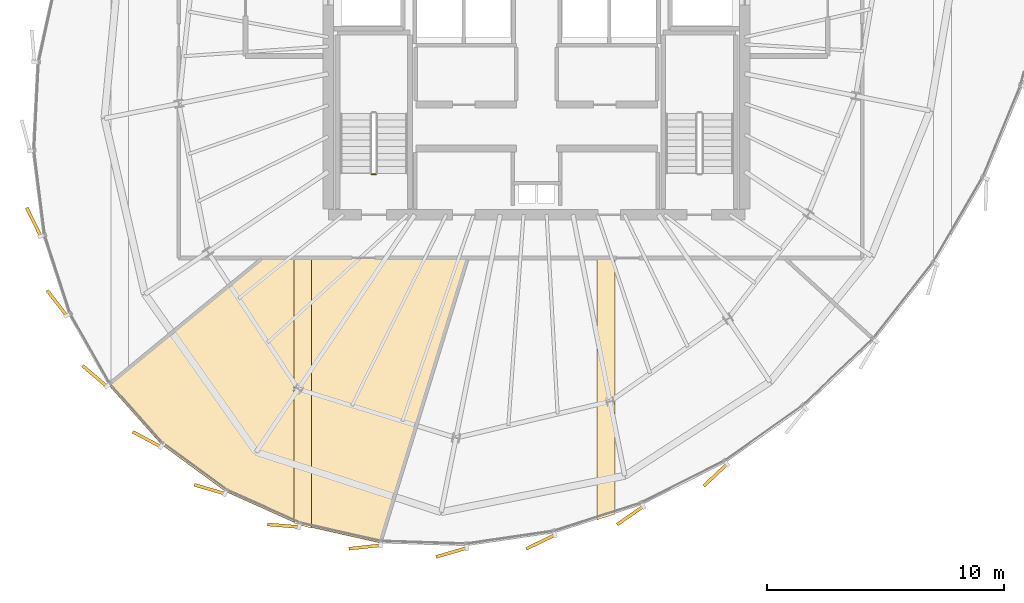
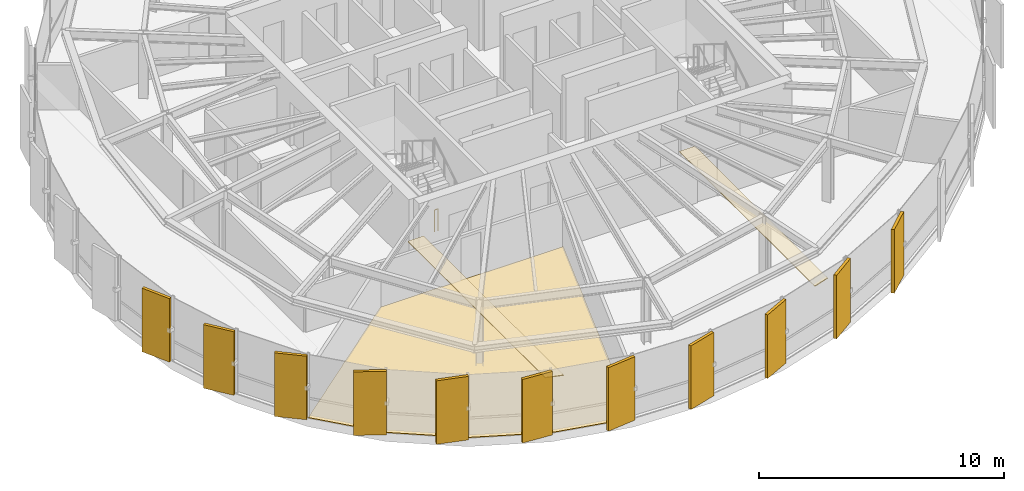
# One storey, part 32 of 36: 14 coverings, 1 railing.
"""IFC4 building model written with IfcOpenShell, lengths in metres."""

import ifcopenshell
import ifcopenshell.guid

model = None  # the IFC model being written
_history = None  # IfcOwnerHistory: only IFC2X3 demands one
_inside = {}  # id of a spatial element -> (the spatial element, [elements in it])
_under = {}  # id of a project, library or spatial element -> (it, [spatial elements below it])
_declared = {}  # id of a project -> (the project, [libraries it declares])
_typed = {}  # id of a type object -> (the type object, [elements of that type])
_made_of = {}  # id of a material, layer set ... -> (it, [elements and type objects made of it])


def new_model(schema):
    """Start an empty IFC model of exactly this schema.

    Asked for "IFC4X3", IfcOpenShell would pick the latest addendum, in which some entities
    have other attributes; the version numbers below select the first issue.
    IFC2X3 requires an IfcOwnerHistory on every rooted entity: one is made here for all.
    """
    global model, _history
    if schema == "IFC4X3":
        model = ifcopenshell.file(schema_version=(4, 3, 0, 0))
    else:
        model = ifcopenshell.file(schema=schema)
    _inside.clear()
    _under.clear()
    _declared.clear()
    _typed.clear()
    _made_of.clear()
    _history = None
    if model.schema == "IFC2X3":
        org = make("IfcOrganization", Name="unknown")
        user = make(
            "IfcPersonAndOrganization",
            ThePerson=make("IfcPerson", FamilyName="unknown"),
            TheOrganization=org,
        )
        app = make(
            "IfcApplication",
            ApplicationDeveloper=org,
            Version="unknown",
            ApplicationFullName="unknown",
            ApplicationIdentifier="unknown",
        )
        _history = make(
            "IfcOwnerHistory",
            OwningUser=user,
            OwningApplication=app,
            ChangeAction="ADDED",
            CreationDate=0,
        )
    return model


def make(cls, **values):
    """One entity of the class cls with the attributes given. An attribute that is None is left unset."""
    return model.create_entity(
        cls, **{name: value for name, value in values.items() if value is not None}
    )


def rooted(cls, **values):
    """An entity with a GlobalId (a new one), such as an element, a storey or a relation."""
    return make(cls, GlobalId=ifcopenshell.guid.new(), OwnerHistory=_history, **values)


def si_unit(unit_type, name, prefix=None):
    """IfcSIUnit, for example si_unit("LENGTHUNIT", "METRE", prefix="MILLI")."""
    return make("IfcSIUnit", UnitType=unit_type, Prefix=prefix, Name=name)


def assignment(units):
    """IfcUnitAssignment: the units of a project."""
    return None if units is None else make("IfcUnitAssignment", Units=units)


def point(xyz):
    """IfcCartesianPoint."""
    return None if xyz is None else make("IfcCartesianPoint", Coordinates=xyz)


def direction(xyz):
    """IfcDirection."""
    return None if xyz is None else make("IfcDirection", DirectionRatios=xyz)


def frame(location, z_axis=None, x_axis=None):
    """IfcAxis2Placement3D, a coordinate frame: its origin and axes. An axis left out is left unset."""
    return make(
        "IfcAxis2Placement3D",
        Location=point(location),
        Axis=direction(z_axis),
        RefDirection=direction(x_axis),
    )


def frame_2d(location, x_axis=None):
    """IfcAxis2Placement2D, a coordinate frame in the plane: its origin and x axis."""
    return make(
        "IfcAxis2Placement2D", Location=point(location), RefDirection=direction(x_axis)
    )


def origin():
    """The frame at (0, 0, 0) with its axes left unset."""
    return frame((0.0, 0.0, 0.0))


def origin_2d():
    """The frame at (0, 0) in the plane with its x axis left unset."""
    return frame_2d((0.0, 0.0))


def place(relative_to, where):
    """IfcLocalPlacement: puts the frame where relative to a parent placement (None: the world)."""
    return make(
        "IfcLocalPlacement", PlacementRelTo=relative_to, RelativePlacement=where
    )


def context(
    kind, dimensions, precision=None, world=None, true_north=None, identifier=None
):
    """IfcGeometricRepresentationContext, for example the 3D "Model" context."""
    return make(
        "IfcGeometricRepresentationContext",
        ContextIdentifier=identifier,
        ContextType=kind,
        CoordinateSpaceDimension=dimensions,
        Precision=precision,
        WorldCoordinateSystem=world,
        TrueNorth=true_north,
    )


def subcontext(parent, identifier, kind, view, scale=None):
    """IfcGeometricRepresentationSubContext, for example "Body" below "Model"."""
    return make(
        "IfcGeometricRepresentationSubContext",
        ContextIdentifier=identifier,
        ContextType=kind,
        ParentContext=parent,
        TargetScale=scale,
        TargetView=view,
    )


def project(units=None, contexts=None):
    """IfcProject with its units and contexts."""
    return rooted(
        "IfcProject",
        Name="project",
        RepresentationContexts=contexts,
        UnitsInContext=assignment(units),
    )


def spatial(cls, under=None, at=None, **own):
    """A site, building, storey or space (cls), placed at a placement, below another one or the project."""
    s = rooted(cls, ObjectPlacement=at, **own)
    if under is not None:
        _under.setdefault(under.id(), (under, []))[1].append(s)
    return s


def polyline(points):
    """IfcPolyline through the points."""
    return make("IfcPolyline", Points=[point(p) for p in points])


def profile(cls, at=None, kind="AREA", **sizes):
    """A parametric profile (cls). Its sizes go by their IFC names, for example OverallWidth=200.0."""
    return make(cls, ProfileType=kind, Position=at, **sizes)


def rectangle(**sizes):
    """IfcRectangleProfileDef."""
    return profile("IfcRectangleProfileDef", **sizes)


def circle(**sizes):
    """IfcCircleProfileDef."""
    return profile("IfcCircleProfileDef", **sizes)


def outline(outer, holes=None, kind="AREA"):
    """IfcArbitraryClosedProfileDef: a profile drawn as a closed curve; with holes, ...WithVoids."""
    if holes is None:
        return make("IfcArbitraryClosedProfileDef", ProfileType=kind, OuterCurve=outer)
    return make(
        "IfcArbitraryProfileDefWithVoids",
        ProfileType=kind,
        OuterCurve=outer,
        InnerCurves=holes,
    )


def extrude(swept, where, along, depth):
    """IfcExtrudedAreaSolid: the profile swept, set in the frame where, extruded along a direction by depth."""
    return make(
        "IfcExtrudedAreaSolid",
        SweptArea=swept,
        Position=where,
        ExtrudedDirection=direction(along),
        Depth=depth,
    )


def shape(context_of_items, identifier, shape_type, items):
    """IfcShapeRepresentation: the items that make up one representation, for example the "Body"."""
    return make(
        "IfcShapeRepresentation",
        ContextOfItems=context_of_items,
        RepresentationIdentifier=identifier,
        RepresentationType=shape_type,
        Items=items,
    )


def source(mapping_origin, context_of_items, identifier, shape_type, items):
    """IfcRepresentationMap: a shape defined once, which mapped items show again and again."""
    return make(
        "IfcRepresentationMap",
        MappingOrigin=mapping_origin,
        MappedRepresentation=shape(context_of_items, identifier, shape_type, items),
    )


def transform(
    local_origin,
    x_axis=None,
    y_axis=None,
    z_axis=None,
    scale=None,
    scale2=None,
    scale3=None,
    uniform=True,
):
    """IfcCartesianTransformationOperator3D, or its non-uniform kind. x_axis, y_axis, z_axis: its Axis1, 2, 3."""
    if uniform:
        return make(
            "IfcCartesianTransformationOperator3D",
            Axis1=direction(x_axis),
            Axis2=direction(y_axis),
            LocalOrigin=point(local_origin),
            Scale=scale,
            Axis3=direction(z_axis),
        )
    return make(
        "IfcCartesianTransformationOperator3DnonUniform",
        Axis1=direction(x_axis),
        Axis2=direction(y_axis),
        LocalOrigin=point(local_origin),
        Scale=scale,
        Axis3=direction(z_axis),
        Scale2=scale2,
        Scale3=scale3,
    )


def mapped(mapping_source, mapping_target):
    """IfcMappedItem: shows the shape of a source again, moved by a transform."""
    return make(
        "IfcMappedItem", MappingSource=mapping_source, MappingTarget=mapping_target
    )


def material(Name=None, Category=None):
    """IfcMaterial."""
    return make("IfcMaterial", Name=Name, Category=Category)


def layer(
    of_material, thickness, ventilated=None, Name=None, Category=None, Priority=None
):
    """IfcMaterialLayer: one layer of a wall or slab, of a material (None: an air gap)."""
    return make(
        "IfcMaterialLayer",
        Material=of_material,
        LayerThickness=thickness,
        IsVentilated=ventilated,
        Name=Name,
        Category=Category,
        Priority=Priority,
    )


def layer_set(layers, Name=None):
    """IfcMaterialLayerSet."""
    return make("IfcMaterialLayerSet", MaterialLayers=layers, LayerSetName=Name)


def made_of(thing, what):
    """Note that an element or type object is made of a material, layer set ...; save() writes the relation."""
    if what is not None:
        _made_of.setdefault(what.id(), (what, []))[1].append(thing)
    return thing


def type_object(cls, material=None, **own):
    """A type object (cls), such as IfcWallType, which elements share."""
    return made_of(rooted(cls, **own), material)


def element(
    cls,
    number,
    at=None,
    inside=None,
    cuts=None,
    type_object=None,
    material=None,
    context=None,
    identifier="Body",
    shape_type=None,
    held_by="IfcProductDefinitionShape",
    body=None,
    shapes=None,
    **own,
):
    """One element of the class cls, such as IfcWall. Its Tag is "e" and its number.

    at: its placement. inside: the storey or other place that contains it. cuts: it is an
    opening in that element (IfcRelVoidsElement). A single representation is given by context,
    identifier, shape_type and body (its items); several are given by shapes. held_by: the class
    of the entity that holds the representations. save() writes the other relations.
    """
    e = rooted(cls, Tag="e%d" % number, ObjectPlacement=at, **own)
    if body is not None:
        shapes = [shape(context, identifier, shape_type, body)]
    if shapes is not None:
        e.Representation = make(held_by, Representations=shapes)
    if inside is not None:
        _inside.setdefault(inside.id(), (inside, []))[1].append(e)
    if cuts is not None:
        rooted(
            "IfcRelVoidsElement", RelatingBuildingElement=cuts, RelatedOpeningElement=e
        )
    if type_object is not None:
        _typed.setdefault(type_object.id(), (type_object, []))[1].append(e)
    return made_of(e, material)


def aggregate(whole, parts):
    """IfcRelAggregates: a whole, such as a stair, and the parts it consists of."""
    return rooted("IfcRelAggregates", RelatingObject=whole, RelatedObjects=parts)


def save(model, path):
    """Write the relations noted so far, then the file.

    IfcRelAggregates (storeys below a building ...), IfcRelContainedInSpatialStructure (elements
    in a storey), IfcRelDefinesByType, IfcRelAssociatesMaterial and IfcRelDeclares: one each for
    every whole, place, type object, material and project.
    """
    for whole, parts in _under.values():
        aggregate(whole, parts)
    for where, things in _inside.values():
        rooted(
            "IfcRelContainedInSpatialStructure",
            RelatedElements=things,
            RelatingStructure=where,
        )
    for kind, things in _typed.values():
        rooted("IfcRelDefinesByType", RelatedObjects=things, RelatingType=kind)
    for what, things in _made_of.values():
        rooted("IfcRelAssociatesMaterial", RelatedObjects=things, RelatingMaterial=what)
    for by, libraries in _declared.values():
        rooted("IfcRelDeclares", RelatingContext=by, RelatedDefinitions=libraries)
    model.write(path)


model = new_model("IFC4")

# Units and contexts
model_context = context("Model", 3, precision=1e-05, world=origin(), true_north=direction((0.0, 1.0)))
body_context = subcontext(model_context, "Body", "Model", "MODEL_VIEW")
ifc_project = project(units=[si_unit("LENGTHUNIT", "METRE"), si_unit("AREAUNIT", "SQUARE_METRE"), si_unit("VOLUMEUNIT", "CUBIC_METRE"), si_unit("PLANEANGLEUNIT", "RADIAN"), si_unit("MASSUNIT", "GRAM", prefix="KILO"), si_unit("THERMODYNAMICTEMPERATUREUNIT", "KELVIN")], contexts=[model_context])

# Site, building, storey
site_placement = place(None, origin())
site = spatial("IfcSite", under=ifc_project, at=site_placement, CompositionType="ELEMENT")
building_placement = place(site_placement, origin())
building = spatial("IfcBuilding", under=site, at=building_placement, Name="Kethvar Cultural Tower", CompositionType="ELEMENT")
storey_placement = place(building_placement, frame((0.0, 0.0, 228.39990234375)))
storey = spatial("IfcBuildingStorey", under=building, at=storey_placement, Name="L59", CompositionType="ELEMENT", Elevation=228.39990234375)

# Coverings
ifc_material_1 = material(Name="Acoustic Mineral Fibre Ceiling")
ifc_layer_1 = layer(ifc_material_1, 0.0400390625, Name="Acoustic Mineral Fibre Ceiling")
ifc_layer_set_1 = layer_set([ifc_layer_1], Name="Acoustic Mineral Fibre Ceiling (40 mm)")
covering_type_1 = type_object("IfcCoveringType", Name="CV-ACOUSTIC-CEIL", PredefinedType="CEILING", material=ifc_layer_set_1)
covering_1_placement = place(storey_placement, frame((0.0, 0.0, 2.780029296875)))
element("IfcCovering", 1, at=covering_1_placement, inside=storey, type_object=covering_type_1, Name="L59 Room 01 Acoustic Ceiling Panel", PredefinedType="CEILING", context=body_context, shape_type="SweptSolid", body=[
    extrude(outline(polyline([(37.29931640625, 6.845458984375), (36.54931640625, 7.06591796875), (36.54931640625, 18.2890625), (37.29931640625, 18.2890625), (37.29931640625, 6.845458984375)])), origin(), (0.0, 0.0, 1.0), 0.0400390625),
])
covering_2_placement = place(storey_placement, frame((0.0, 0.0, 2.780029296875)))
element("IfcCovering", 2, at=covering_2_placement, inside=storey, type_object=covering_type_1, Name="L59 Room 02 Acoustic Ceiling Panel", PredefinedType="CEILING", context=body_context, shape_type="SweptSolid", body=[
    extrude(outline(polyline([(49.3564453125, 7.20361328125), (49.3564453125, 18.2890625), (50.1064453125, 18.2890625), (50.1064453125, 7.445068359375), (49.3564453125, 7.20361328125)])), origin(), (0.0, 0.0, 1.0), 0.0400390625),
])
ifc_material_2 = material(Name="Architectural Oak Timber", Category="wood")
ifc_layer_2 = layer(ifc_material_2, 0.02490234375, Name="Architectural Oak Timber", Category="wood")
ifc_layer_set_2 = layer_set([ifc_layer_2], Name="Architectural Oak Timber (25 mm)")
covering_type_2 = type_object("IfcCoveringType", Name="CV-OAK-FLOOR", PredefinedType="FLOORING", material=ifc_layer_set_2)
covering_3_placement = place(storey_placement, origin())
element("IfcCovering", 3, at=covering_3_placement, inside=storey, type_object=covering_type_2, Name="L59 Room 01 Floor Finish", PredefinedType="FLOORING", context=body_context, shape_type="SweptSolid", body=[
    extrude(outline(polyline([(36.793212890625, 7.000244140625), (33.676513671875, 8.40087890625), (30.958740234375, 10.390625), (28.734375, 12.895263671875), (35.23486328125, 18.2490234375), (43.8642578125, 18.2490234375), (40.197509765625, 6.235107421875), (36.793212890625, 7.000244140625)])), origin(), (0.0, 0.0, 1.0), 0.025146484375),
])

# Railing
ifc_material_3 = material(Name="Steel S355J2", Category="steel")
railing_type = type_object("IfcRailingType", Name="RL-STAIR-GUARD", PredefinedType="BALUSTRADE", material=ifc_material_3)
railing_placement = place(storey_placement, frame((40.0, 21.800048828125, 0.0)))
element("IfcRailing", 4, at=railing_placement, inside=storey, type_object=railing_type, Name="L59 ST-01 stair guard 4", PredefinedType="BALUSTRADE", context=body_context, shape_type="SweptSolid", body=[
    extrude(circle(Radius=0.02392578125, at=origin_2d()), frame((0.0, 0.0, 1.09619140625), z_axis=(-1.0, 0.0, 0.0), x_axis=(0.0, -1.0, 0.0)), (0.0, 0.0, 1.0), 0.159912109375),
    extrude(circle(Radius=0.02099609375, at=origin_2d()), origin(), (0.0, 0.0, 1.0), 1.072021484375),
    extrude(circle(Radius=0.02099609375, at=origin_2d()), frame((-0.159912109375, 0.0, 0.0)), (0.0, 0.0, 1.0), 1.072021484375),
])

# Coverings
ifc_material_4 = material(Name="Extruded Architectural Terracotta", Category="masonry")
ifc_layer_3 = layer(ifc_material_4, 0.135009765625, Name="Extruded Architectural Terracotta", Category="masonry")
ifc_layer_set_3 = layer_set([ifc_layer_3], Name="Extruded Architectural Terracotta (135 mm)")
covering_type_3 = type_object("IfcCoveringType", Name="Terracotta Facade Fin FIN-03", PredefinedType="CLADDING", material=ifc_layer_set_3)
shared_shape = source(origin(), body_context, "Body", "SweptSolid", [
    extrude(rectangle(XDim=1.35009765625, YDim=0.135009765625, at=origin_2d()), origin(), (0.0, 0.0, 1.0), 3.169921875),
])
for number, where, z_axis, x_axis, name in (
    (5, (25.5546875, 19.790283203125, 0.02001953125), (0.0, 0.0, 1.0), (-0.439468903432, 0.898257804261, 0.0), "L59 Vertical Terracotta Fin 3.4"),
    (6, (26.53466796875, 16.3671875, 0.02001953125), (0.0, 0.0, 1.0), (-0.610145163901, 0.792289643355, 0.0), "L59 Vertical Terracotta Fin 3.5"),
    (7, (28.1318359375, 13.28173828125, 0.02001953125), (0.0, 0.0, 1.0), (-0.761651414199, 0.647986977684, 0.0), "L59 Vertical Terracotta Fin 3.6"),
    (8, (30.331787109375, 10.609130859375, 0.02001953125), (0.0, 0.0, 1.0), (-0.881220962975, 0.47270457414, 0.0), "L59 Vertical Terracotta Fin 4.1"),
    (9, (32.9853515625, 8.498779296875, 0.02001953125), (0.0, 0.0, 1.0), (-0.960293685677, 0.278991106039, 0.0), "L59 Vertical Terracotta Fin 4.2"),
    (10, (36.096435546875, 6.9580078125, 0.02001953125), (0.0, 0.0, 1.0), (-0.996680153102, 0.081416659306, 0.0), "L59 Vertical Terracotta Fin 4.3"),
    (11, (39.53759765625, 6.05859375, 0.02001953125), (0.0, 0.0, 1.0), (-0.994150963972, -0.107999355706, 0.0), "L59 Vertical Terracotta Fin 4.4"),
    (12, (43.199951171875, 5.828369140625, 0.02001953125), (0.0, 0.0, 1.0), (-0.959510852267, -0.281671660596, 0.0), "L59 Vertical Terracotta Fin 4.5"),
    (13, (46.9677734375, 6.273193359375, 0.02001953125), (0.0, 0.0, 1.0), (-0.900014703397, -0.435859534333, 0.0), "L59 Vertical Terracotta Fin 4.6"),
    (14, (50.75634765625, 7.3916015625, 0.02001953125), (0.0, 0.0, 1.0), (-0.821348375719, -0.570426897773, 0.0), "L59 Vertical Terracotta Fin 5.1"),
    (15, (54.35498046875, 9.0986328125, 0.02001953125), (0.0, 0.0, 1.0), (-0.72765304869, -0.685945362789, 0.0), "L59 Vertical Terracotta Fin 5.2"),
):
    element("IfcCovering", number, at=place(storey_placement, frame(where, z_axis=z_axis, x_axis=x_axis)), inside=storey, type_object=covering_type_3, Name=name, PredefinedType="CLADDING", context=body_context, shape_type="MappedRepresentation", body=[
        mapped(shared_shape, transform((0.0, 0.0, 0.0), scale=1.0)),
    ])

save(model, "model.ifc")
